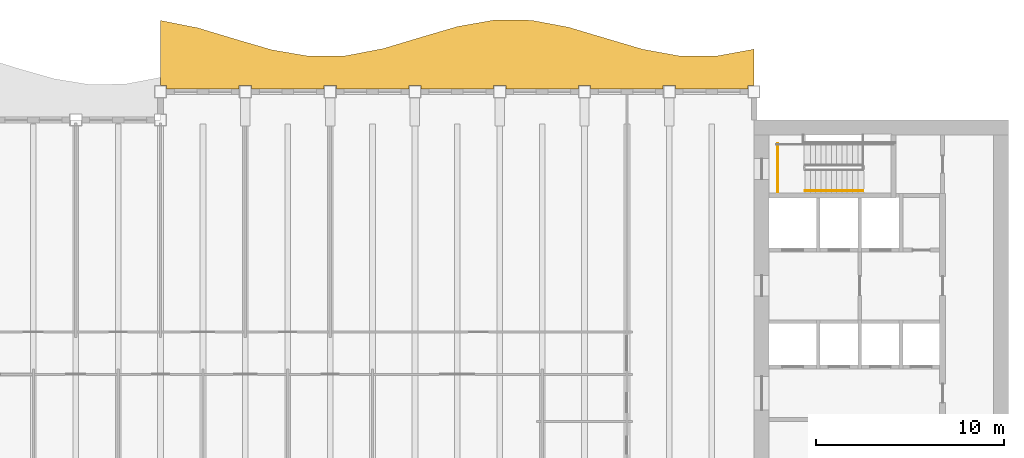
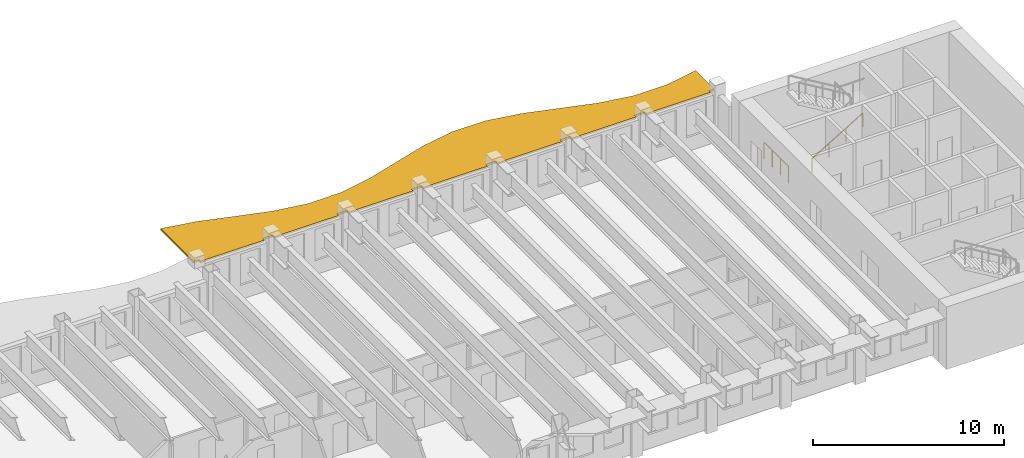
# One storey, part 11 of 12: 2 railings, 1 shading device.
"""IFC4 building model written with IfcOpenShell, lengths in metres."""

from ifc_helpers import new_model, si_unit, direction, frame, origin, origin_2d, place, context, subcontext, project, spatial, polyline, rectangle, outline, extrude, material, layer, layer_set, type_object, element, save


model = new_model("IFC4")

# Units and contexts
model_context = context("Model", 3, precision=1e-05, world=origin(), true_north=direction((0.0, 1.0)))
body_context = subcontext(model_context, "Body", "Model", "MODEL_VIEW")
ifc_project = project(units=[si_unit("LENGTHUNIT", "METRE"), si_unit("AREAUNIT", "SQUARE_METRE"), si_unit("VOLUMEUNIT", "CUBIC_METRE"), si_unit("PLANEANGLEUNIT", "RADIAN"), si_unit("MASSUNIT", "GRAM", prefix="KILO")], contexts=[model_context])

# Site, building, storey
site_placement = place(None, origin())
site = spatial("IfcSite", under=ifc_project, at=site_placement, CompositionType="ELEMENT")
building_placement = place(site_placement, origin())
building = spatial("IfcBuilding", under=site, at=building_placement, Name="Sennacour Bend Tower", CompositionType="ELEMENT")
storey_placement = place(building_placement, frame((0.0, 0.0, 293.0)))
storey = spatial("IfcBuildingStorey", under=building, at=storey_placement, Name="L68", CompositionType="ELEMENT", Elevation=293.0)

# Railings
ifc_material_1 = material(Name="Stainless steel", Category="steel")
railing_type_1 = type_object("IfcRailingType", Name="RL-GUARD-1100", PredefinedType="GUARDRAIL", material=ifc_material_1)
railing_1_placement = place(storey_placement, frame((55.25, 18.699951171875, 0.0)))
element("IfcRailing", 1, at=railing_1_placement, inside=storey, type_object=railing_type_1, Name="L68 SA2 stair guard 7", PredefinedType="GUARDRAIL", context=body_context, shape_type="SweptSolid", body=[
    extrude(rectangle(XDim=0.048095703125, YDim=0.048095703125, at=origin_2d()), frame((0.0, 0.0, 1.076171875), z_axis=(0.0, 1.0, 0.0), x_axis=(-1.0, 0.0, 0.0)), (0.0, 0.0, 1.0), 2.550048828125),
    extrude(rectangle(XDim=0.0419921875, YDim=0.0419921875, at=origin_2d()), origin(), (0.0, 0.0, 1.0), 1.052001953125),
    extrude(rectangle(XDim=0.0419921875, YDim=0.0419921875, at=origin_2d()), frame((0.0, 0.85009765625, 0.0)), (0.0, 0.0, 1.0), 1.052001953125),
    extrude(rectangle(XDim=0.0419921875, YDim=0.0419921875, at=origin_2d()), frame((0.0, 1.699951171875, 0.0)), (0.0, 0.0, 1.0), 1.052001953125),
    extrude(rectangle(XDim=0.0419921875, YDim=0.0419921875, at=origin_2d()), frame((0.0, 2.550048828125, 0.0)), (0.0, 0.0, 1.0), 1.052001953125),
])
railing_type_2 = type_object("IfcRailingType", Name="RL-HANDRAIL-900", PredefinedType="HANDRAIL", material=ifc_material_1)
railing_2_placement = place(storey_placement, frame((56.699951171875, 18.75, 0.166748046875)))
element("IfcRailing", 2, at=railing_2_placement, inside=storey, type_object=railing_type_2, Name="L68 SA2 stair handrail 1", PredefinedType="HANDRAIL", context=body_context, shape_type="SweptSolid", body=[
    extrude(rectangle(XDim=0.048095703125, YDim=0.048095703125, at=origin_2d()), frame((0.0, 0.0, 0.8759765625), z_axis=(0.859308565015, 0.0, 0.511457515432), x_axis=(0.0, 1.0, 0.0)), (0.0, 0.0, 1.0), 3.58447265625),
    extrude(rectangle(XDim=0.0419921875, YDim=0.0419921875, at=origin_2d()), origin(), (0.0, 0.0, 1.0), 0.851806640625),
    extrude(rectangle(XDim=0.0419921875, YDim=0.0419921875, at=origin_2d()), frame((1.026611328125, 0.0, 0.611083984375)), (0.0, 0.0, 1.0), 0.851806640625),
    extrude(rectangle(XDim=0.0419921875, YDim=0.0419921875, at=origin_2d()), frame((2.053466796875, 0.0, 1.22216796875)), (0.0, 0.0, 1.0), 0.851806640625),
    extrude(rectangle(XDim=0.0419921875, YDim=0.0419921875, at=origin_2d()), frame((3.080078125, 0.0, 1.833251953125)), (0.0, 0.0, 1.0), 0.851806640625),
])

# Shading device
ifc_material_2 = material(Name="Bronze anodised aluminium", Category="aluminium")
ifc_layer = layer(ifc_material_2, 0.1201171875, Name="Bronze anodised aluminium", Category="aluminium")
ifc_layer_set = layer_set([ifc_layer], Name="Bronze anodised aluminium")
shading_device_type = type_object("IfcShadingDeviceType", Name="SUNSHADE BAND WAVE", PredefinedType="USERDEFINED", material=ifc_layer_set)
shading_device_placement = place(storey_placement, frame((0.0, 0.0, 2.94189453125)))
element("IfcShadingDevice", 3, at=shading_device_placement, inside=storey, type_object=shading_device_type, Name="Sunshade band L68 concave faces", ObjectType="SUNSHADE", PredefinedType="USERDEFINED", context=body_context, shape_type="SweptSolid", body=[
    extrude(outline(polyline([(53.675048828125, 24.14990234375), (49.824951171875, 24.14990234375), (49.824951171875, 24.324951171875), (49.175048828125, 24.324951171875), (49.175048828125, 24.14990234375), (45.324951171875, 24.14990234375), (45.324951171875, 24.324951171875), (44.675048828125, 24.324951171875), (44.675048828125, 24.14990234375), (40.824951171875, 24.14990234375), (40.824951171875, 24.324951171875), (40.175048828125, 24.324951171875), (40.175048828125, 24.14990234375), (36.324951171875, 24.14990234375), (36.324951171875, 24.324951171875), (35.675048828125, 24.324951171875), (35.675048828125, 24.14990234375), (31.824951171875, 24.14990234375), (31.824951171875, 24.324951171875), (31.175048828125, 24.324951171875), (31.175048828125, 24.14990234375), (27.324951171875, 24.14990234375), (27.324951171875, 24.324951171875), (26.675048828125, 24.324951171875), (26.675048828125, 24.14990234375), (22.824951171875, 24.14990234375), (22.824951171875, 24.324951171875), (22.5, 24.324951171875), (22.5, 27.781982421875), (24.46875, 27.3935546875), (26.4375, 26.800048828125), (28.40625, 26.225341796875), (30.375, 25.88671875), (32.34375, 25.911865234375), (34.3125, 26.29150390625), (36.28125, 26.882080078125), (38.25, 27.460693359375), (40.21875, 27.80859375), (42.1875, 27.794189453125), (44.15625, 27.42333984375), (46.125, 26.835693359375), (48.09375, 26.253662109375), (50.0625, 25.896728515625), (52.03125, 25.900146484375), (54.0, 26.26220703125), (54.0, 24.324951171875), (53.675048828125, 24.324951171875), (53.675048828125, 24.14990234375)])), origin(), (0.0, 0.0, 1.0), 0.1201171875),
])

save(model, "model.ifc")
